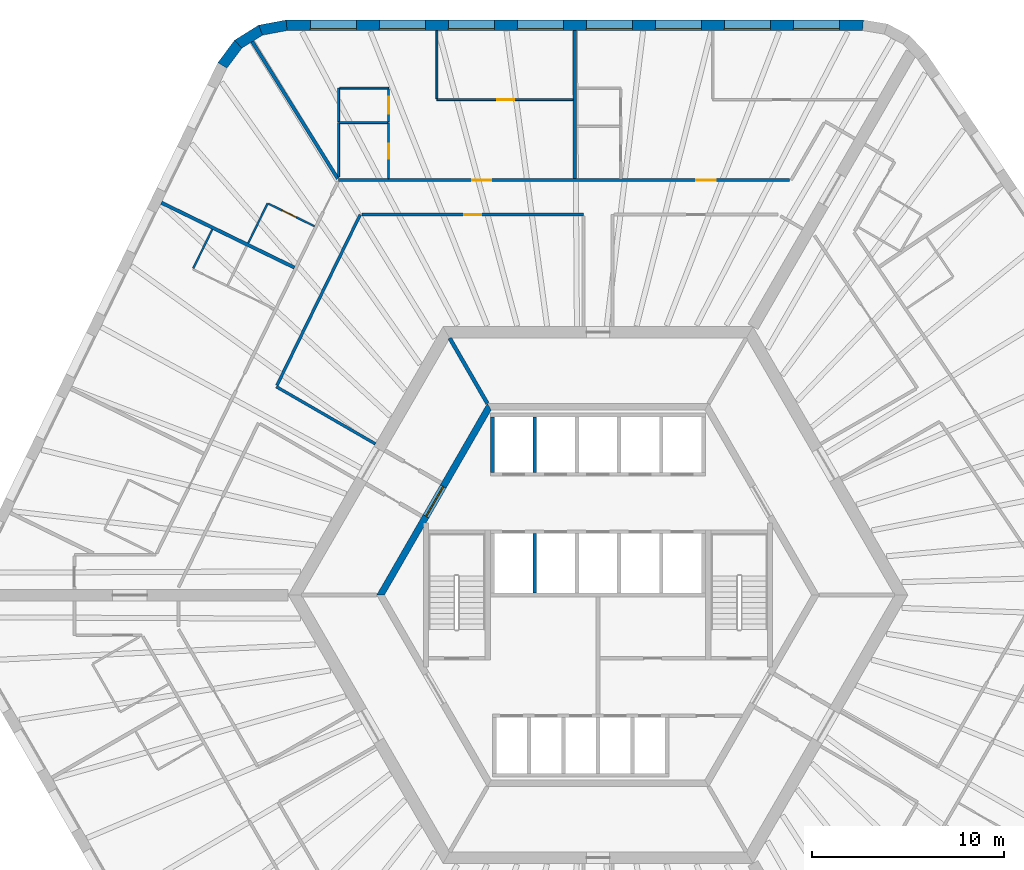
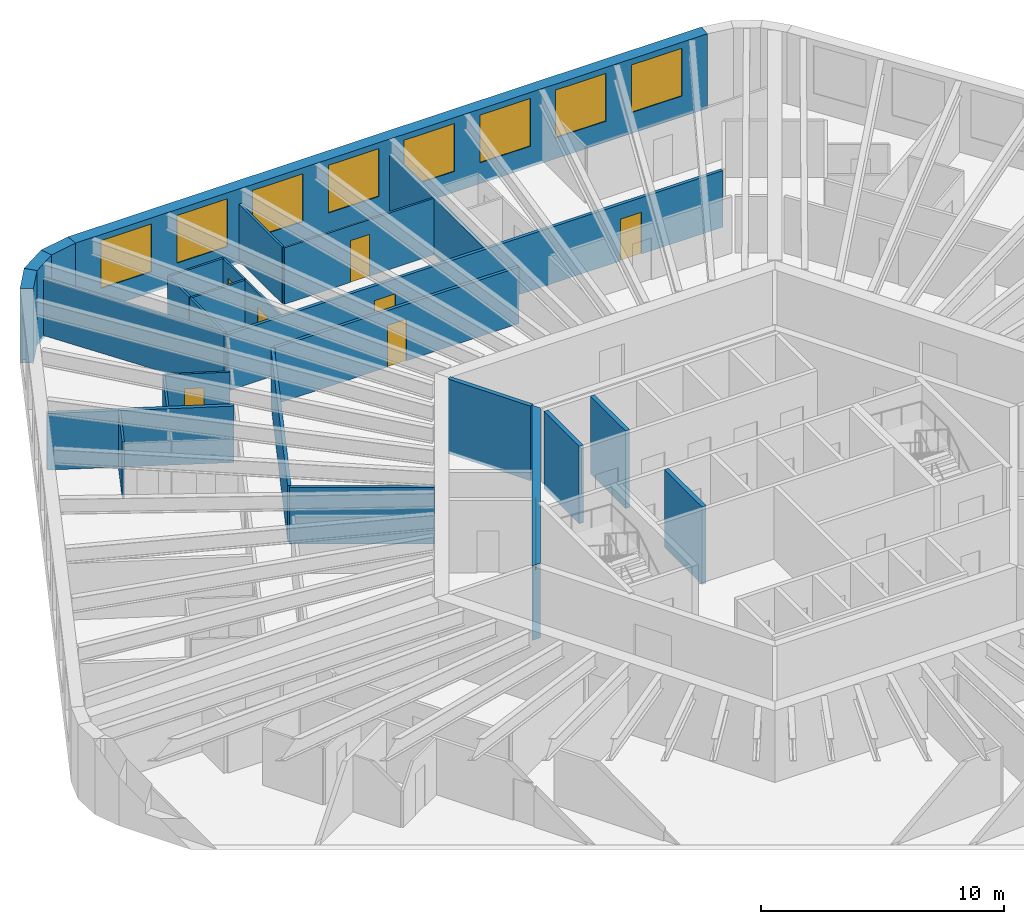
# One storey, part 8 of 12: 27 walls, 8 doors, 8 windows, 16 openings.
"""IFC4 building model written with IfcOpenShell, lengths in metres."""

from ifc_helpers import new_model, si_unit, direction, frame, frame_2d, origin, place, context, subcontext, project, spatial, polyline, rectangle, outline, extrude, material, layer, layer_set, type_object, element, fill, save


model = new_model("IFC4")

# Units and contexts
model_context = context("Model", 3, precision=1e-05, world=origin(), true_north=direction((0.0, 1.0)))
body_context = subcontext(model_context, "Body", "Model", "MODEL_VIEW")
ifc_project = project(units=[si_unit("LENGTHUNIT", "METRE"), si_unit("AREAUNIT", "SQUARE_METRE"), si_unit("VOLUMEUNIT", "CUBIC_METRE"), si_unit("PLANEANGLEUNIT", "RADIAN"), si_unit("MASSUNIT", "GRAM", prefix="KILO")], contexts=[model_context])

# Site, building, storey
site_placement = place(None, origin())
site = spatial("IfcSite", under=ifc_project, at=site_placement, CompositionType="ELEMENT")
building_placement = place(site_placement, origin())
building = spatial("IfcBuilding", under=site, at=building_placement, Name="Tarnside Tower", CompositionType="ELEMENT")
storey_placement = place(building_placement, frame((0.0, 0.0, 142.800048828125)))
storey = spatial("IfcBuildingStorey", under=building, at=storey_placement, Name="L33", CompositionType="ELEMENT", Elevation=142.800048828125)

# Wall
ifc_material_1 = material(Name="Gypsum board partition on steel studs", Category="steel")
ifc_layer_1 = layer(ifc_material_1, 0.10009765625)
ifc_layer_set_1 = layer_set([ifc_layer_1], Name="Bathroom wall 100")
wall_type_1 = type_object("IfcWallType", Name="Bathroom wall 100", PredefinedType="PARTITIONING", material=ifc_layer_set_1)
wall_1_placement = place(storey_placement, frame((-13.5283203125, 21.821044921875, 0.0), z_axis=(0.0, 0.0, 1.0), x_axis=(0.0, 1.0, 0.0)))
element("IfcWall", 1, at=wall_1_placement, inside=storey, type_object=wall_type_1, Name="Bathroom wall 10086", PredefinedType="PARTITIONING", context=body_context, shape_type="SweptSolid", body=[
    extrude(rectangle(XDim=2.828857421875, YDim=0.10009765625, at=frame_2d((1.41455078125, 0.0))), origin(), (0.0, 0.0, 1.0), 2.837646484375),
])

# Wall, opening, door
wall_2_placement = place(storey_placement, frame((-10.928466796875, 24.64990234375, 0.0), z_axis=(0.0, 0.0, 1.0), x_axis=(0.0, -1.0, 0.0)))
wall_2 = element("IfcWall", 2, at=wall_2_placement, inside=storey, type_object=wall_type_1, Name="Bathroom wall 10087", PredefinedType="PARTITIONING", context=body_context, shape_type="SweptSolid", body=[
    extrude(rectangle(XDim=2.9248046875, YDim=0.10009765625, at=frame_2d((1.46240234375, 0.0))), origin(), (0.0, 0.0, 1.0), 2.837646484375),
])
opening_1_placement = place(wall_2_placement, frame((1.10009765625, 0.0, 0.0)))
opening_1 = element("IfcOpeningElement", 3, at=opening_1_placement, cuts=wall_2, Name="Opening D-B1", PredefinedType="OPENING", context=body_context, shape_type="SweptSolid", body=[
    extrude(rectangle(XDim=0.800048828125, YDim=2.10009765625, at=frame_2d((0.39990234375, 1.050048828125))), frame((0.0, 0.06005859375, 0.0), z_axis=(0.0, -1.0, 0.0), x_axis=(1.0, 0.0, 0.0)), (0.0, 0.0, 1.0), 0.1201171875),
])
ifc_material_2 = material(Name="Timber door leaf", Category="wood")
door_type_1 = type_object("IfcDoorType", Name="Bathroom door 800", OperationType="NOTDEFINED", PredefinedType="DOOR", material=ifc_material_2)
door_1_placement = place(opening_1_placement, origin())
door_1 = element("IfcDoor", 4, at=door_1_placement, inside=storey, type_object=door_type_1, Name="Bathroom door 10006", OperationType="SINGLE_SWING_LEFT", OverallHeight=2.10009765625, OverallWidth=0.800048828125, PredefinedType="DOOR", context=body_context, shape_type="SweptSolid", body=[
    extrude(rectangle(XDim=0.800048828125, YDim=2.10009765625, at=frame_2d((0.39990234375, 1.050048828125))), frame((0.0, 0.02490234375, 0.0), z_axis=(0.0, -1.0, 0.0), x_axis=(1.0, 0.0, 0.0)), (0.0, 0.0, 1.0), 0.050048828125),
])
fill(opening_1, door_1)

# Walls
wall_3_placement = place(storey_placement, frame((-10.978515625, 24.64990234375, 0.0), z_axis=(0.0, 0.0, 1.0), x_axis=(-1.0, 0.0, 0.0)))
element("IfcWall", 5, at=wall_3_placement, inside=storey, type_object=wall_type_1, Name="Bathroom wall 10094", PredefinedType="PARTITIONING", context=body_context, shape_type="SweptSolid", body=[
    extrude(rectangle(XDim=2.5, YDim=0.10009765625, at=frame_2d((1.25, 0.0))), origin(), (0.0, 0.0, 1.0), 2.837646484375),
])
wall_4_placement = place(storey_placement, frame((-18.248779296875, 18.35888671875, 0.0), z_axis=(0.0, 0.0, 1.0), x_axis=(0.438313261974, 0.898822276303, 0.0)))
element("IfcWall", 6, at=wall_4_placement, inside=storey, type_object=wall_type_1, Name="Bathroom wall 10095", PredefinedType="PARTITIONING", context=body_context, shape_type="SweptSolid", body=[
    extrude(rectangle(XDim=2.309814453125, YDim=0.10009765625, at=frame_2d((1.15478515625, 0.0))), origin(), (0.0, 0.0, 1.0), 2.837646484375),
])

# Wall, opening, door
wall_5_placement = place(storey_placement, frame((-17.19140625, 20.4130859375, 0.0), z_axis=(0.0, 0.0, 1.0), x_axis=(0.898800897694, -0.438357099068, 0.0)))
wall_5 = element("IfcWall", 7, at=wall_5_placement, inside=storey, type_object=wall_type_1, Name="Bathroom wall 10096", PredefinedType="PARTITIONING", context=body_context, shape_type="SweptSolid", body=[
    extrude(rectangle(XDim=2.675048828125, YDim=0.10009765625, at=frame_2d((1.33740234375, 0.0))), origin(), (0.0, 0.0, 1.0), 2.837646484375),
])
opening_2_placement = place(wall_5_placement, frame((0.81005859375, 0.0, 0.0)))
opening_2 = element("IfcOpeningElement", 8, at=opening_2_placement, cuts=wall_5, Name="Opening D-B1", PredefinedType="OPENING", context=body_context, shape_type="SweptSolid", body=[
    extrude(rectangle(XDim=0.800048828125, YDim=2.10009765625, at=frame_2d((0.39990234375, 1.050048828125))), frame((0.0, 0.06005859375, 0.0), z_axis=(0.0, -1.0, 0.0), x_axis=(1.0, 0.0, 0.0)), (0.0, 0.0, 1.0), 0.1201171875),
])
door_2_placement = place(opening_2_placement, origin())
door_2 = element("IfcDoor", 9, at=door_2_placement, inside=storey, type_object=door_type_1, Name="Bathroom door 10010", OperationType="SINGLE_SWING_RIGHT", OverallHeight=2.10009765625, OverallWidth=0.800048828125, PredefinedType="DOOR", context=body_context, shape_type="SweptSolid", body=[
    extrude(rectangle(XDim=0.800048828125, YDim=2.10009765625, at=frame_2d((0.39990234375, 1.050048828125))), frame((0.0, 0.02490234375, 0.0), z_axis=(0.0, -1.0, 0.0), x_axis=(1.0, 0.0, 0.0)), (0.0, 0.0, 1.0), 0.050048828125),
])
fill(opening_2, door_2)

ifc_material_3 = material(Name="Concrete C50/60", Category="concrete")
ifc_layer_2 = layer(ifc_material_3, 0.35009765625)
ifc_layer_set_2 = layer_set([ifc_layer_2], Name="Core block wall 350 C50/60")
wall_type_2 = type_object("IfcWallType", Name="Core block wall 350 C50/60", PredefinedType="SHEAR", material=ifc_layer_set_2)
wall_6_placement = place(storey_placement, frame((-5.672607421875, 9.824951171875, -0.150146484375), z_axis=(0.0, 0.0, 1.0), x_axis=(-0.499995046907, -0.866028263435, 0.0)))
wall_6 = element("IfcWall", 10, at=wall_6_placement, inside=storey, type_object=wall_type_2, Name="L33 core block wall face 2", PredefinedType="SHEAR", context=body_context, shape_type="SweptSolid", body=[
    extrude(outline(polyline([(-0.10107421875, -0.175048828125), (11.44580078125, -0.175048828125), (11.24365234375, 0.175048828125), (0.10107421875, 0.175048828125), (-0.10107421875, -0.175048828125)])), origin(), (0.0, 0.0, 1.0), 3.75),
])
opening_3_placement = place(wall_6_placement, frame((4.80126953125, 0.0, 0.14990234375)))
opening_3 = element("IfcOpeningElement", 11, at=opening_3_placement, cuts=wall_6, Name="Opening CD-LOB", PredefinedType="OPENING", context=body_context, shape_type="SweptSolid", body=[
    extrude(rectangle(XDim=1.800048828125, YDim=2.39990234375, at=frame_2d((0.89990234375, 1.199951171875))), frame((0.0, 0.18505859375, 0.0), z_axis=(0.0, -1.0, 0.0), x_axis=(1.0, 0.0, 0.0)), (0.0, 0.0, 1.0), 0.3701171875),
])
ifc_material_4 = material(Name="Steel fire door", Category="steel")
door_type_2 = type_object("IfcDoorType", Name="Lobby double door FD30S 1800x2400", OperationType="NOTDEFINED", PredefinedType="DOOR", material=ifc_material_4)
door_3_placement = place(opening_3_placement, origin())
door_3 = element("IfcDoor", 12, at=door_3_placement, inside=storey, type_object=door_type_2, Name="L33 lobby block door P1", OperationType="DOUBLE_DOOR_SINGLE_SWING", OverallHeight=2.39990234375, OverallWidth=1.800048828125, PredefinedType="DOOR", context=body_context, shape_type="SweptSolid", body=[
    extrude(rectangle(XDim=1.800048828125, YDim=2.39990234375, at=frame_2d((0.89990234375, 1.199951171875))), frame((0.0, 0.02490234375, 0.0), z_axis=(0.0, -1.0, 0.0), x_axis=(1.0, 0.0, 0.0)), (0.0, 0.0, 1.0), 0.050048828125),
])
fill(opening_3, door_3)

# Wall, openings, doors
ifc_layer_3 = layer(ifc_material_1, 0.14990234375)
ifc_layer_set_3 = layer_set([ifc_layer_3], Name="Corridor wall 150 EI 60")
wall_type_3 = type_object("IfcWallType", Name="Corridor wall 150 EI 60", PredefinedType="PARTITIONING", material=ifc_layer_set_3)
wall_7_placement = place(storey_placement, frame((9.988037109375, 21.64990234375, 0.0), z_axis=(0.0, 0.0, 1.0), x_axis=(-1.0, 0.0, 0.0)))
wall_7 = element("IfcWall", 13, at=wall_7_placement, inside=storey, type_object=wall_type_3, Name="Corridor wall 10003", PredefinedType="PARTITIONING", context=body_context, shape_type="SweptSolid", body=[
    extrude(rectangle(XDim=23.516357421875, YDim=0.14990234375, at=frame_2d((11.75830078125, 0.0))), origin(), (0.0, 0.0, 1.0), 2.837646484375),
])
opening_4_placement = place(wall_7_placement, frame((3.856201171875, 0.0, 0.0)))
opening_4 = element("IfcOpeningElement", 14, at=opening_4_placement, cuts=wall_7, Name="Opening D-E1", PredefinedType="OPENING", context=body_context, shape_type="SweptSolid", body=[
    extrude(rectangle(XDim=1.0, YDim=2.10009765625, at=frame_2d((0.5, 1.050048828125))), frame((0.0, 0.0849609375, 0.0), z_axis=(0.0, -1.0, 0.0), x_axis=(1.0, 0.0, 0.0)), (0.0, 0.0, 1.0), 0.169921875),
])
opening_5_placement = place(wall_7_placement, frame((15.557861328125, 0.0, 0.0)))
opening_5 = element("IfcOpeningElement", 15, at=opening_5_placement, cuts=wall_7, Name="Opening D-E1", PredefinedType="OPENING", context=body_context, shape_type="SweptSolid", body=[
    extrude(rectangle(XDim=1.0, YDim=2.10009765625, at=frame_2d((0.5, 1.050048828125))), frame((0.0, 0.0849609375, 0.0), z_axis=(0.0, -1.0, 0.0), x_axis=(1.0, 0.0, 0.0)), (0.0, 0.0, 1.0), 0.169921875),
])
door_type_3 = type_object("IfcDoorType", Name="Unit entrance door 1000 FD30S", OperationType="NOTDEFINED", PredefinedType="DOOR", material=ifc_material_2)
door_4_placement = place(opening_4_placement, origin())
door_4 = element("IfcDoor", 16, at=door_4_placement, inside=storey, type_object=door_type_3, Name="Unit door 10001", OperationType="SINGLE_SWING_RIGHT", OverallHeight=2.10009765625, OverallWidth=1.0, PredefinedType="DOOR", context=body_context, shape_type="SweptSolid", body=[
    extrude(rectangle(XDim=1.0, YDim=2.10009765625, at=frame_2d((0.5, 1.050048828125))), frame((0.0, 0.02490234375, 0.0), z_axis=(0.0, -1.0, 0.0), x_axis=(1.0, 0.0, 0.0)), (0.0, 0.0, 1.0), 0.050048828125),
])
fill(opening_4, door_4)
door_5_placement = place(opening_5_placement, origin())
door_5 = element("IfcDoor", 17, at=door_5_placement, inside=storey, type_object=door_type_3, Name="Unit door 10005", OperationType="SINGLE_SWING_LEFT", OverallHeight=2.10009765625, OverallWidth=1.0, PredefinedType="DOOR", context=body_context, shape_type="SweptSolid", body=[
    extrude(rectangle(XDim=1.0, YDim=2.10009765625, at=frame_2d((0.5, 1.050048828125))), frame((0.0, 0.02490234375, 0.0), z_axis=(0.0, -1.0, 0.0), x_axis=(1.0, 0.0, 0.0)), (0.0, 0.0, 1.0), 0.050048828125),
])
fill(opening_5, door_5)

# Walls
wall_8_placement = place(storey_placement, frame((-11.61376953125, 7.88427734375, 0.0), z_axis=(0.0, 0.0, 1.0), x_axis=(-0.866017375886, 0.50001390447, 0.0)))
element("IfcWall", 18, at=wall_8_placement, inside=storey, type_object=wall_type_3, Name="Corridor wall 10016", PredefinedType="PARTITIONING", context=body_context, shape_type="SweptSolid", body=[
    extrude(rectangle(XDim=5.969970703125, YDim=0.14990234375, at=frame_2d((2.98486328125, 0.0))), origin(), (0.0, 0.0, 1.0), 2.837646484375),
])
wall_9_placement = place(storey_placement, frame((-16.7509765625, 10.936767578125, 0.0), z_axis=(0.0, 0.0, 1.0), x_axis=(0.438378523504, 0.898790448397, 0.0)))
element("IfcWall", 19, at=wall_9_placement, inside=storey, type_object=wall_type_3, Name="Corridor wall 10017", PredefinedType="PARTITIONING", context=body_context, shape_type="SweptSolid", body=[
    extrude(rectangle(XDim=9.9169921875, YDim=0.14990234375, at=frame_2d((4.95849609375, 0.0))), origin(), (0.0, 0.0, 1.0), 2.837646484375),
])

# Wall, opening, door
wall_10_placement = place(storey_placement, frame((-12.3203125, 19.85009765625, 0.0), z_axis=(0.0, 0.0, 1.0), x_axis=(1.0, 0.0, 0.0)))
wall_10 = element("IfcWall", 20, at=wall_10_placement, inside=storey, type_object=wall_type_3, Name="Corridor wall 10018", PredefinedType="PARTITIONING", context=body_context, shape_type="SweptSolid", body=[
    extrude(rectangle(XDim=11.5703125, YDim=0.14990234375, at=frame_2d((5.78515625, 0.0))), origin(), (0.0, 0.0, 1.0), 2.837646484375),
])
opening_6_placement = place(wall_10_placement, frame((5.335205078125, 0.0, 0.0)))
opening_6 = element("IfcOpeningElement", 21, at=opening_6_placement, cuts=wall_10, Name="Opening D-S1", PredefinedType="OPENING", context=body_context, shape_type="SweptSolid", body=[
    extrude(rectangle(XDim=0.89990234375, YDim=2.10009765625, at=frame_2d((0.449951171875, 1.050048828125))), frame((0.0, 0.0849609375, 0.0), z_axis=(0.0, -1.0, 0.0), x_axis=(1.0, 0.0, 0.0)), (0.0, 0.0, 1.0), 0.169921875),
])
door_type_4 = type_object("IfcDoorType", Name="Service room door 900 FD30S", OperationType="NOTDEFINED", PredefinedType="DOOR", material=ifc_material_2)
door_6_placement = place(opening_6_placement, origin())
door_6 = element("IfcDoor", 22, at=door_6_placement, inside=storey, type_object=door_type_4, Name="Service door 10042", OperationType="SINGLE_SWING_RIGHT", OverallHeight=2.10009765625, OverallWidth=0.89990234375, PredefinedType="DOOR", context=body_context, shape_type="SweptSolid", body=[
    extrude(rectangle(XDim=0.89990234375, YDim=2.10009765625, at=frame_2d((0.449951171875, 1.050048828125))), frame((0.0, 0.02490234375, 0.0), z_axis=(0.0, -1.0, 0.0), x_axis=(1.0, 0.0, 0.0)), (0.0, 0.0, 1.0), 0.050048828125),
])
fill(opening_6, door_6)

# Walls
ifc_layer_4 = layer(ifc_material_1, 0.179931640625)
ifc_layer_set_4 = layer_set([ifc_layer_4], Name="Demising wall 180 EI 60")
wall_type_4 = type_object("IfcWallType", Name="Demising wall 180 EI 60", PredefinedType="PARTITIONING", material=ifc_layer_set_4)
wall_11_placement = place(storey_placement, frame((-1.2109375, 29.449951171875, 0.0), z_axis=(0.0, 0.0, 1.0), x_axis=(0.0, -1.0, 0.0)))
element("IfcWall", 23, at=wall_11_placement, inside=storey, type_object=wall_type_4, Name="Demising wall 10081", PredefinedType="PARTITIONING", context=body_context, shape_type="SweptSolid", body=[
    extrude(rectangle(XDim=7.724853515625, YDim=0.179931640625, at=frame_2d((3.8623046875, 0.0))), origin(), (0.0, 0.0, 1.0), 2.837646484375),
])
wall_12_placement = place(storey_placement, frame((-18.040771484375, 28.87109375, 0.0), z_axis=(0.0, 0.0, 1.0), x_axis=(0.52994164425, -0.848034111159, 0.0)))
element("IfcWall", 24, at=wall_12_placement, inside=storey, type_object=wall_type_4, Name="Demising wall 10093", PredefinedType="PARTITIONING", context=body_context, shape_type="SweptSolid", body=[
    extrude(rectangle(XDim=8.426513671875, YDim=0.179931640625, at=frame_2d((4.21337890625, 0.0))), origin(), (0.0, 0.0, 1.0), 2.837646484375),
])
wall_13_placement = place(storey_placement, frame((-22.7822265625, 20.469970703125, 0.0), z_axis=(0.0, 0.0, 1.0), x_axis=(0.898789402655, -0.438380667542, 0.0)))
element("IfcWall", 25, at=wall_13_placement, inside=storey, type_object=wall_type_4, Name="Demising wall 10097", PredefinedType="PARTITIONING", context=body_context, shape_type="SweptSolid", body=[
    extrude(rectangle(XDim=7.724853515625, YDim=0.179931640625, at=frame_2d((3.8623046875, 0.0))), origin(), (0.0, 0.0, 1.0), 2.837646484375),
])
ifc_material_5 = material(Name="Concrete C40/50", Category="concrete")
ifc_layer_5 = layer(ifc_material_5, 0.199951171875)
ifc_layer_set_5 = layer_set([ifc_layer_5], Name="Lift shaft wall 200 C40/50")
wall_type_5 = type_object("IfcWallType", Name="Lift shaft wall 200 C40/50", PredefinedType="SHEAR", material=ifc_layer_set_5)
for number, where, z_axis, x_axis, name in (
    (26, (-5.5, 6.39990234375, -0.25), (0.0, 0.0, 1.0), (0.0, 1.0, 0.0), "L33 lift shaft partition R11"),
    (27, (-3.300048828125, 6.39990234375, -0.25), (0.0, 0.0, 1.0), (0.0, 1.0, 0.0), "L33 lift shaft partition R12"),
):
    element("IfcWall", number, at=place(storey_placement, frame(where, z_axis=z_axis, x_axis=x_axis)), inside=storey, type_object=wall_type_5, Name=name, PredefinedType="SHEAR", context=body_context, shape_type="SweptSolid", body=[
        extrude(rectangle(XDim=2.900146484375, YDim=0.199951171875, at=frame_2d((1.4501953125, 0.0))), origin(), (0.0, 0.0, 1.0), 3.89990234375),
    ])
wall_14_placement = place(storey_placement, frame((-3.300048828125, 0.10009765625, -0.25), z_axis=(0.0, 0.0, 1.0), x_axis=(0.0, 1.0, 0.0)))
element("IfcWall", 28, at=wall_14_placement, inside=storey, type_object=wall_type_5, Name="L33 lift shaft partition R22", PredefinedType="SHEAR", context=body_context, shape_type="SweptSolid", body=[
    extrude(rectangle(XDim=3.099853515625, YDim=0.199951171875, at=frame_2d((1.5498046875, 0.0))), origin(), (0.0, 0.0, 1.0), 3.89990234375),
])
wall_15_placement = place(storey_placement, frame((-5.7734375, 10.0, -0.150146484375), z_axis=(0.0, 0.0, 1.0), x_axis=(-0.500038251005, 0.86600331843, 0.0)))
element("IfcWall", 29, at=wall_15_placement, inside=storey, type_object=wall_type_5, Name="L33 core partition AR120", PredefinedType="SHEAR", context=body_context, shape_type="SweptSolid", body=[
    extrude(rectangle(XDim=3.926025390625, YDim=0.199951171875, at=frame_2d((1.962890625, 0.0))), origin(), (0.0, 0.0, 1.0), 3.75),
])
ifc_layer_6 = layer(ifc_material_1, 0.10009765625)
ifc_layer_set_6 = layer_set([ifc_layer_6], Name="Partition 100")
wall_type_6 = type_object("IfcWallType", Name="Partition 100", PredefinedType="PARTITIONING", material=ifc_layer_set_6)
wall_16_placement = place(storey_placement, frame((-13.5283203125, 24.699951171875, 0.0), z_axis=(0.0, 0.0, 1.0), x_axis=(0.0, 1.0, 0.0)))
element("IfcWall", 30, at=wall_16_placement, inside=storey, type_object=wall_type_6, Name="Partition wall 10088", PredefinedType="PARTITIONING", context=body_context, shape_type="SweptSolid", body=[
    extrude(rectangle(XDim=1.75, YDim=0.10009765625, at=frame_2d((0.875, 0.0))), origin(), (0.0, 0.0, 1.0), 2.837646484375),
])
wall_17_placement = place(storey_placement, frame((-13.478515625, 26.449951171875, 0.0), z_axis=(0.0, 0.0, 1.0), x_axis=(1.0, 0.0, 0.0)))
element("IfcWall", 31, at=wall_17_placement, inside=storey, type_object=wall_type_6, Name="Partition wall 10089", PredefinedType="PARTITIONING", context=body_context, shape_type="SweptSolid", body=[
    extrude(rectangle(XDim=2.550048828125, YDim=0.10009765625, at=frame_2d((1.27490234375, 0.0))), origin(), (0.0, 0.0, 1.0), 2.837646484375),
])

# Wall, opening, door
wall_18_placement = place(storey_placement, frame((-10.928466796875, 26.39990234375, 0.0), z_axis=(0.0, 0.0, 1.0), x_axis=(0.0, -1.0, 0.0)))
wall_18 = element("IfcWall", 32, at=wall_18_placement, inside=storey, type_object=wall_type_6, Name="Partition wall 10090", PredefinedType="PARTITIONING", context=body_context, shape_type="SweptSolid", body=[
    extrude(rectangle(XDim=1.699951171875, YDim=0.10009765625, at=frame_2d((0.85009765625, 0.0))), origin(), (0.0, 0.0, 1.0), 2.837646484375),
])
opening_7_placement = place(wall_18_placement, frame((0.39990234375, 0.0, 0.0)))
opening_7 = element("IfcOpeningElement", 33, at=opening_7_placement, cuts=wall_18, Name="Opening D-I1", PredefinedType="OPENING", context=body_context, shape_type="SweptSolid", body=[
    extrude(rectangle(XDim=0.89990234375, YDim=2.10009765625, at=frame_2d((0.449951171875, 1.050048828125))), frame((0.0, 0.06005859375, 0.0), z_axis=(0.0, -1.0, 0.0), x_axis=(1.0, 0.0, 0.0)), (0.0, 0.0, 1.0), 0.1201171875),
])
door_type_5 = type_object("IfcDoorType", Name="Internal door 900", OperationType="NOTDEFINED", PredefinedType="DOOR", material=ifc_material_2)
door_7_placement = place(opening_7_placement, origin())
door_7 = element("IfcDoor", 34, at=door_7_placement, inside=storey, type_object=door_type_5, Name="Internal door 10007", OperationType="SINGLE_SWING_RIGHT", OverallHeight=2.10009765625, OverallWidth=0.89990234375, PredefinedType="DOOR", context=body_context, shape_type="SweptSolid", body=[
    extrude(rectangle(XDim=0.89990234375, YDim=2.10009765625, at=frame_2d((0.449951171875, 1.050048828125))), frame((0.0, 0.02490234375, 0.0), z_axis=(0.0, -1.0, 0.0), x_axis=(1.0, 0.0, 0.0)), (0.0, 0.0, 1.0), 0.050048828125),
])
fill(opening_7, door_7)

wall_19_placement = place(storey_placement, frame((-1.301025390625, 25.85009765625, 0.0), z_axis=(0.0, 0.0, 1.0), x_axis=(-1.0, 0.0, 0.0)))
wall_19 = element("IfcWall", 35, at=wall_19_placement, inside=storey, type_object=wall_type_6, Name="Partition wall 10091", PredefinedType="PARTITIONING", context=body_context, shape_type="SweptSolid", body=[
    extrude(rectangle(XDim=7.110107421875, YDim=0.10009765625, at=frame_2d((3.55517578125, 0.0))), origin(), (0.0, 0.0, 1.0), 2.837646484375),
])
opening_8_placement = place(wall_19_placement, frame((3.06005859375, 0.0, 0.0)))
opening_8 = element("IfcOpeningElement", 36, at=opening_8_placement, cuts=wall_19, Name="Opening D-I1", PredefinedType="OPENING", context=body_context, shape_type="SweptSolid", body=[
    extrude(rectangle(XDim=0.89990234375, YDim=2.10009765625, at=frame_2d((0.449951171875, 1.050048828125))), frame((0.0, 0.06005859375, 0.0), z_axis=(0.0, -1.0, 0.0), x_axis=(1.0, 0.0, 0.0)), (0.0, 0.0, 1.0), 0.1201171875),
])
door_8_placement = place(opening_8_placement, origin())
door_8 = element("IfcDoor", 37, at=door_8_placement, inside=storey, type_object=door_type_5, Name="Internal door 10008", OperationType="SINGLE_SWING_RIGHT", OverallHeight=2.10009765625, OverallWidth=0.89990234375, PredefinedType="DOOR", context=body_context, shape_type="SweptSolid", body=[
    extrude(rectangle(XDim=0.89990234375, YDim=2.10009765625, at=frame_2d((0.449951171875, 1.050048828125))), frame((0.0, 0.02490234375, 0.0), z_axis=(0.0, -1.0, 0.0), x_axis=(1.0, 0.0, 0.0)), (0.0, 0.0, 1.0), 0.050048828125),
])
fill(opening_8, door_8)

# Walls
wall_20_placement = place(storey_placement, frame((-8.4111328125, 25.89990234375, 0.0), z_axis=(0.0, 0.0, 1.0), x_axis=(0.0, 1.0, 0.0)))
element("IfcWall", 38, at=wall_20_placement, inside=storey, type_object=wall_type_6, Name="Partition wall 10092", PredefinedType="PARTITIONING", context=body_context, shape_type="SweptSolid", body=[
    extrude(rectangle(XDim=3.550048828125, YDim=0.10009765625, at=frame_2d((1.77490234375, 0.0))), origin(), (0.0, 0.0, 1.0), 2.837646484375),
])
wall_21_placement = place(storey_placement, frame((-21.1162109375, 17.04248046875, 0.0), z_axis=(0.0, 0.0, 1.0), x_axis=(0.438334246956, 0.898812042613, 0.0)))
element("IfcWall", 39, at=wall_21_placement, inside=storey, type_object=wall_type_6, Name="Partition wall 10102", PredefinedType="PARTITIONING", context=body_context, shape_type="SweptSolid", body=[
    extrude(rectangle(XDim=2.26025390625, YDim=0.10009765625, at=frame_2d((1.130126953125, 0.0))), origin(), (0.0, 0.0, 1.0), 2.837646484375),
])

# Wall, openings, windows
ifc_material_6 = material(Name="Facing brick", Category="masonry")
ifc_layer_7 = layer(ifc_material_6, 0.10205078125)
ifc_material_7 = material(Name="Concrete C60/75 precast", Category="concrete")
ifc_layer_8 = layer(ifc_material_7, 0.347900390625)
ifc_material_8 = material(Name="Mineral wool insulation")
ifc_layer_9 = layer(ifc_material_8, 0.10009765625)
ifc_layer_set_7 = layer_set([ifc_layer_7, ifc_layer_8, ifc_layer_9], Name="Tube wall 550 brick faced")
wall_type_7 = type_object("IfcWallType", Name="Tube wall 550 brick faced", PredefinedType="SOLIDWALL", material=ifc_layer_set_7)
wall_22_placement = place(storey_placement, frame((13.824462890625, 29.72509765625, -0.150146484375), z_axis=(0.0, 0.0, 1.0), x_axis=(-1.0, 0.0, 0.0)))
wall_22 = element("IfcWall", 40, at=wall_22_placement, inside=storey, type_object=wall_type_7, Name="Tube wall L33 F1 flush 00", PredefinedType="SOLIDWALL", context=body_context, shape_type="SweptSolid", body=[
    extrude(outline(polyline([(-0.0224609375, -0.27490234375), (30.0966796875, -0.27490234375), (30.04541015625, 0.27490234375), (0.0224609375, 0.27490234375), (-0.0224609375, -0.27490234375)])), origin(), (0.0, 0.0, 1.0), 3.75),
])
opening_9_placement = place(wall_22_placement, frame((1.235595703125, 0.0, 1.050048828125)))
opening_9 = element("IfcOpeningElement", 41, at=opening_9_placement, cuts=wall_22, Name="Opening WH", PredefinedType="OPENING", context=body_context, shape_type="SweptSolid", body=[
    extrude(rectangle(XDim=2.39990234375, YDim=2.39990234375, at=frame_2d((1.199951171875, 1.199951171875))), frame((0.0, 0.28515625, 0.0), z_axis=(0.0, -1.0, 0.0), x_axis=(1.0, 0.0, 0.0)), (0.0, 0.0, 1.0), 0.570068359375),
])
opening_10_placement = place(wall_22_placement, frame((4.83544921875, 0.0, 1.050048828125)))
opening_10 = element("IfcOpeningElement", 42, at=opening_10_placement, cuts=wall_22, Name="Opening WH", PredefinedType="OPENING", context=body_context, shape_type="SweptSolid", body=[
    extrude(rectangle(XDim=2.39990234375, YDim=2.39990234375, at=frame_2d((1.199951171875, 1.199951171875))), frame((0.0, 0.28515625, 0.0), z_axis=(0.0, -1.0, 0.0), x_axis=(1.0, 0.0, 0.0)), (0.0, 0.0, 1.0), 0.570068359375),
])
opening_11_placement = place(wall_22_placement, frame((8.435546875, 0.0, 1.050048828125)))
opening_11 = element("IfcOpeningElement", 43, at=opening_11_placement, cuts=wall_22, Name="Opening WH", PredefinedType="OPENING", context=body_context, shape_type="SweptSolid", body=[
    extrude(rectangle(XDim=2.39990234375, YDim=2.39990234375, at=frame_2d((1.199951171875, 1.199951171875))), frame((0.0, 0.28515625, 0.0), z_axis=(0.0, -1.0, 0.0), x_axis=(1.0, 0.0, 0.0)), (0.0, 0.0, 1.0), 0.570068359375),
])
opening_12_placement = place(wall_22_placement, frame((12.035400390625, 0.0, 1.050048828125)))
opening_12 = element("IfcOpeningElement", 44, at=opening_12_placement, cuts=wall_22, Name="Opening WH", PredefinedType="OPENING", context=body_context, shape_type="SweptSolid", body=[
    extrude(rectangle(XDim=2.39990234375, YDim=2.39990234375, at=frame_2d((1.199951171875, 1.199951171875))), frame((0.0, 0.28515625, 0.0), z_axis=(0.0, -1.0, 0.0), x_axis=(1.0, 0.0, 0.0)), (0.0, 0.0, 1.0), 0.570068359375),
])
opening_13_placement = place(wall_22_placement, frame((15.635498046875, 0.0, 1.050048828125)))
opening_13 = element("IfcOpeningElement", 45, at=opening_13_placement, cuts=wall_22, Name="Opening WH", PredefinedType="OPENING", context=body_context, shape_type="SweptSolid", body=[
    extrude(rectangle(XDim=2.39990234375, YDim=2.39990234375, at=frame_2d((1.199951171875, 1.199951171875))), frame((0.0, 0.28515625, 0.0), z_axis=(0.0, -1.0, 0.0), x_axis=(1.0, 0.0, 0.0)), (0.0, 0.0, 1.0), 0.570068359375),
])
opening_14_placement = place(wall_22_placement, frame((19.235595703125, 0.0, 1.050048828125)))
opening_14 = element("IfcOpeningElement", 46, at=opening_14_placement, cuts=wall_22, Name="Opening WH", PredefinedType="OPENING", context=body_context, shape_type="SweptSolid", body=[
    extrude(rectangle(XDim=2.39990234375, YDim=2.39990234375, at=frame_2d((1.199951171875, 1.199951171875))), frame((0.0, 0.28515625, 0.0), z_axis=(0.0, -1.0, 0.0), x_axis=(1.0, 0.0, 0.0)), (0.0, 0.0, 1.0), 0.570068359375),
])
opening_15_placement = place(wall_22_placement, frame((22.83544921875, 0.0, 1.050048828125)))
opening_15 = element("IfcOpeningElement", 47, at=opening_15_placement, cuts=wall_22, Name="Opening WH", PredefinedType="OPENING", context=body_context, shape_type="SweptSolid", body=[
    extrude(rectangle(XDim=2.39990234375, YDim=2.39990234375, at=frame_2d((1.199951171875, 1.199951171875))), frame((0.0, 0.28515625, 0.0), z_axis=(0.0, -1.0, 0.0), x_axis=(1.0, 0.0, 0.0)), (0.0, 0.0, 1.0), 0.570068359375),
])
opening_16_placement = place(wall_22_placement, frame((26.435546875, 0.0, 1.050048828125)))
opening_16 = element("IfcOpeningElement", 48, at=opening_16_placement, cuts=wall_22, Name="Opening WH", PredefinedType="OPENING", context=body_context, shape_type="SweptSolid", body=[
    extrude(rectangle(XDim=2.39990234375, YDim=2.39990234375, at=frame_2d((1.199951171875, 1.199951171875))), frame((0.0, 0.28515625, 0.0), z_axis=(0.0, -1.0, 0.0), x_axis=(1.0, 0.0, 0.0)), (0.0, 0.0, 1.0), 0.570068359375),
])
ifc_material_9 = material(Name="Aluminium-framed double glazing", Category="aluminium")
window_type = type_object("IfcWindowType", Name="Hotel window 2400 x 2400", PartitioningType="DOUBLE_PANEL_VERTICAL", PredefinedType="WINDOW", material=ifc_material_9)
window_1_placement = place(opening_9_placement, frame((0.0, 0.205078125, 0.0)))
window_1 = element("IfcWindow", 49, at=window_1_placement, inside=storey, type_object=window_type, Name="E.WN.L33.F1.00", OverallHeight=2.39990234375, OverallWidth=2.39990234375, PartitioningType="DOUBLE_PANEL_VERTICAL", PredefinedType="WINDOW", context=body_context, shape_type="SweptSolid", body=[
    extrude(rectangle(XDim=2.39990234375, YDim=2.39990234375, at=frame_2d((1.199951171875, 1.199951171875))), frame((0.0, 0.030029296875, 0.0), z_axis=(0.0, -1.0, 0.0), x_axis=(1.0, 0.0, 0.0)), (0.0, 0.0, 1.0), 0.06005859375),
])
fill(opening_9, window_1)
window_2_placement = place(opening_10_placement, frame((0.0, 0.205078125, 0.0)))
window_2 = element("IfcWindow", 50, at=window_2_placement, inside=storey, type_object=window_type, Name="E.WN.L33.F1.01", OverallHeight=2.39990234375, OverallWidth=2.39990234375, PartitioningType="DOUBLE_PANEL_VERTICAL", PredefinedType="WINDOW", context=body_context, shape_type="SweptSolid", body=[
    extrude(rectangle(XDim=2.39990234375, YDim=2.39990234375, at=frame_2d((1.199951171875, 1.199951171875))), frame((0.0, 0.030029296875, 0.0), z_axis=(0.0, -1.0, 0.0), x_axis=(1.0, 0.0, 0.0)), (0.0, 0.0, 1.0), 0.06005859375),
])
fill(opening_10, window_2)
window_3_placement = place(opening_11_placement, frame((0.0, 0.205078125, 0.0)))
window_3 = element("IfcWindow", 51, at=window_3_placement, inside=storey, type_object=window_type, Name="E.WN.L33.F1.02", OverallHeight=2.39990234375, OverallWidth=2.39990234375, PartitioningType="DOUBLE_PANEL_VERTICAL", PredefinedType="WINDOW", context=body_context, shape_type="SweptSolid", body=[
    extrude(rectangle(XDim=2.39990234375, YDim=2.39990234375, at=frame_2d((1.199951171875, 1.199951171875))), frame((0.0, 0.030029296875, 0.0), z_axis=(0.0, -1.0, 0.0), x_axis=(1.0, 0.0, 0.0)), (0.0, 0.0, 1.0), 0.06005859375),
])
fill(opening_11, window_3)
window_4_placement = place(opening_12_placement, frame((0.0, 0.205078125, 0.0)))
window_4 = element("IfcWindow", 52, at=window_4_placement, inside=storey, type_object=window_type, Name="E.WN.L33.F1.03", OverallHeight=2.39990234375, OverallWidth=2.39990234375, PartitioningType="DOUBLE_PANEL_VERTICAL", PredefinedType="WINDOW", context=body_context, shape_type="SweptSolid", body=[
    extrude(rectangle(XDim=2.39990234375, YDim=2.39990234375, at=frame_2d((1.199951171875, 1.199951171875))), frame((0.0, 0.030029296875, 0.0), z_axis=(0.0, -1.0, 0.0), x_axis=(1.0, 0.0, 0.0)), (0.0, 0.0, 1.0), 0.06005859375),
])
fill(opening_12, window_4)
window_5_placement = place(opening_13_placement, frame((0.0, 0.205078125, 0.0)))
window_5 = element("IfcWindow", 53, at=window_5_placement, inside=storey, type_object=window_type, Name="E.WN.L33.F1.04", OverallHeight=2.39990234375, OverallWidth=2.39990234375, PartitioningType="DOUBLE_PANEL_VERTICAL", PredefinedType="WINDOW", context=body_context, shape_type="SweptSolid", body=[
    extrude(rectangle(XDim=2.39990234375, YDim=2.39990234375, at=frame_2d((1.199951171875, 1.199951171875))), frame((0.0, 0.030029296875, 0.0), z_axis=(0.0, -1.0, 0.0), x_axis=(1.0, 0.0, 0.0)), (0.0, 0.0, 1.0), 0.06005859375),
])
fill(opening_13, window_5)
window_6_placement = place(opening_14_placement, frame((0.0, 0.205078125, 0.0)))
window_6 = element("IfcWindow", 54, at=window_6_placement, inside=storey, type_object=window_type, Name="E.WN.L33.F1.05", OverallHeight=2.39990234375, OverallWidth=2.39990234375, PartitioningType="DOUBLE_PANEL_VERTICAL", PredefinedType="WINDOW", context=body_context, shape_type="SweptSolid", body=[
    extrude(rectangle(XDim=2.39990234375, YDim=2.39990234375, at=frame_2d((1.199951171875, 1.199951171875))), frame((0.0, 0.030029296875, 0.0), z_axis=(0.0, -1.0, 0.0), x_axis=(1.0, 0.0, 0.0)), (0.0, 0.0, 1.0), 0.06005859375),
])
fill(opening_14, window_6)
window_7_placement = place(opening_15_placement, frame((0.0, 0.205078125, 0.0)))
window_7 = element("IfcWindow", 55, at=window_7_placement, inside=storey, type_object=window_type, Name="E.WN.L33.F1.06", OverallHeight=2.39990234375, OverallWidth=2.39990234375, PartitioningType="DOUBLE_PANEL_VERTICAL", PredefinedType="WINDOW", context=body_context, shape_type="SweptSolid", body=[
    extrude(rectangle(XDim=2.39990234375, YDim=2.39990234375, at=frame_2d((1.199951171875, 1.199951171875))), frame((0.0, 0.030029296875, 0.0), z_axis=(0.0, -1.0, 0.0), x_axis=(1.0, 0.0, 0.0)), (0.0, 0.0, 1.0), 0.06005859375),
])
fill(opening_15, window_7)
window_8_placement = place(opening_16_placement, frame((0.0, 0.205078125, 0.0)))
window_8 = element("IfcWindow", 56, at=window_8_placement, inside=storey, type_object=window_type, Name="E.WN.L33.F1.07", OverallHeight=2.39990234375, OverallWidth=2.39990234375, PartitioningType="DOUBLE_PANEL_VERTICAL", PredefinedType="WINDOW", context=body_context, shape_type="SweptSolid", body=[
    extrude(rectangle(XDim=2.39990234375, YDim=2.39990234375, at=frame_2d((1.199951171875, 1.199951171875))), frame((0.0, 0.030029296875, 0.0), z_axis=(0.0, -1.0, 0.0), x_axis=(1.0, 0.0, 0.0)), (0.0, 0.0, 1.0), 0.06005859375),
])
fill(opening_16, window_8)

# Walls
wall_23_placement = place(storey_placement, frame((-16.24658203125, 29.72509765625, -0.150146484375), z_axis=(0.0, 0.0, 1.0), x_axis=(-0.982705443133, -0.185175624845, 0.0)))
element("IfcWall", 57, at=wall_23_placement, inside=storey, type_object=wall_type_7, Name="Tube wall L33 F1 chord 01", PredefinedType="SOLIDWALL", context=body_context, shape_type="SweptSolid", body=[
    extrude(outline(polyline([(-0.025634765625, -0.27490234375), (1.430908203125, -0.27490234375), (1.327392578125, 0.27490234375), (0.025634765625, 0.27490234375), (-0.025634765625, -0.27490234375)])), origin(), (0.0, 0.0, 1.0), 3.75),
])
wall_24_placement = place(storey_placement, frame((-17.601806640625, 29.4697265625, -0.150146484375), z_axis=(0.0, 0.0, 1.0), x_axis=(-0.848057977594, -0.5299034503, 0.0)))
element("IfcWall", 58, at=wall_24_placement, inside=storey, type_object=wall_type_7, Name="Tube wall L33 F1 chord 02", PredefinedType="SOLIDWALL", context=body_context, shape_type="SweptSolid", body=[
    extrude(outline(polyline([(-0.0517578125, -0.27490234375), (1.4306640625, -0.27490234375), (1.3271484375, 0.27490234375), (0.0517578125, 0.27490234375), (-0.0517578125, -0.27490234375)])), origin(), (0.0, 0.0, 1.0), 3.75),
])
wall_25_placement = place(storey_placement, frame((-18.771240234375, 28.739013671875, -0.150146484375), z_axis=(0.0, 0.0, 1.0), x_axis=(-0.597135295884, -0.802140535324, 0.0)))
element("IfcWall", 59, at=wall_25_placement, inside=storey, type_object=wall_type_7, Name="Tube wall L33 F1 chord 03", PredefinedType="SOLIDWALL", context=body_context, shape_type="SweptSolid", body=[
    extrude(outline(polyline([(-0.0517578125, -0.27490234375), (1.40478515625, -0.27490234375), (1.353515625, 0.27490234375), (0.0517578125, 0.27490234375), (-0.0517578125, -0.27490234375)])), origin(), (0.0, 0.0, 1.0), 3.75),
])

save(model, "model.ifc")
